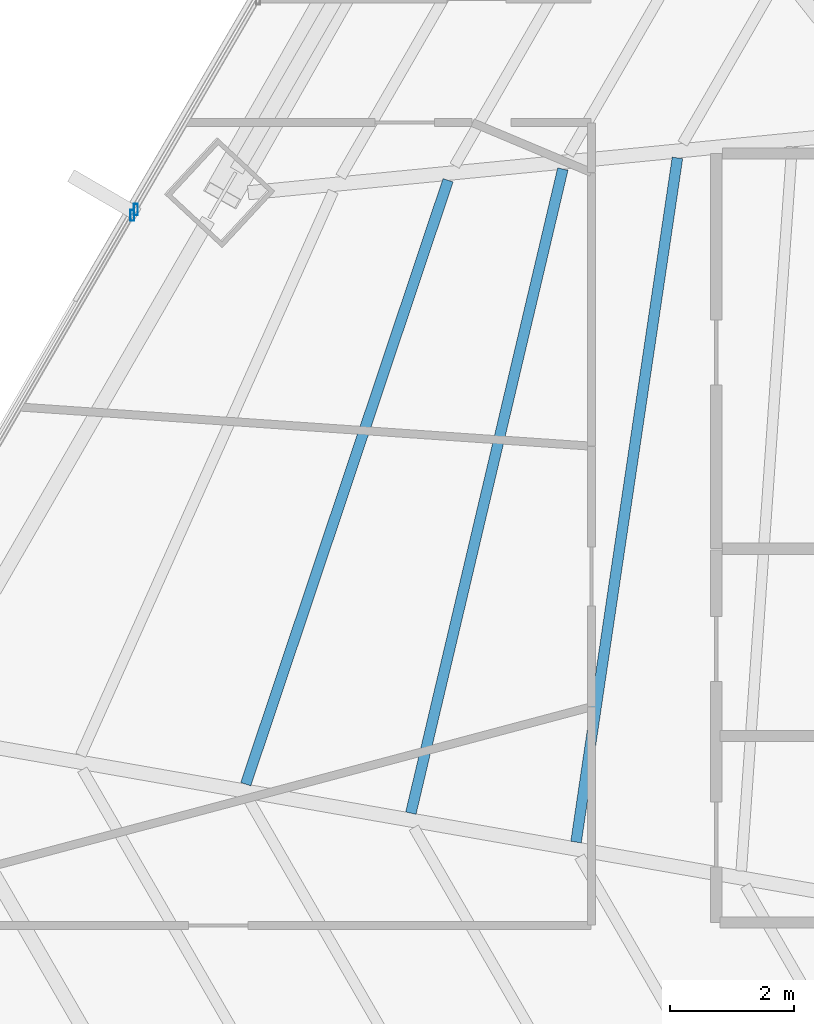
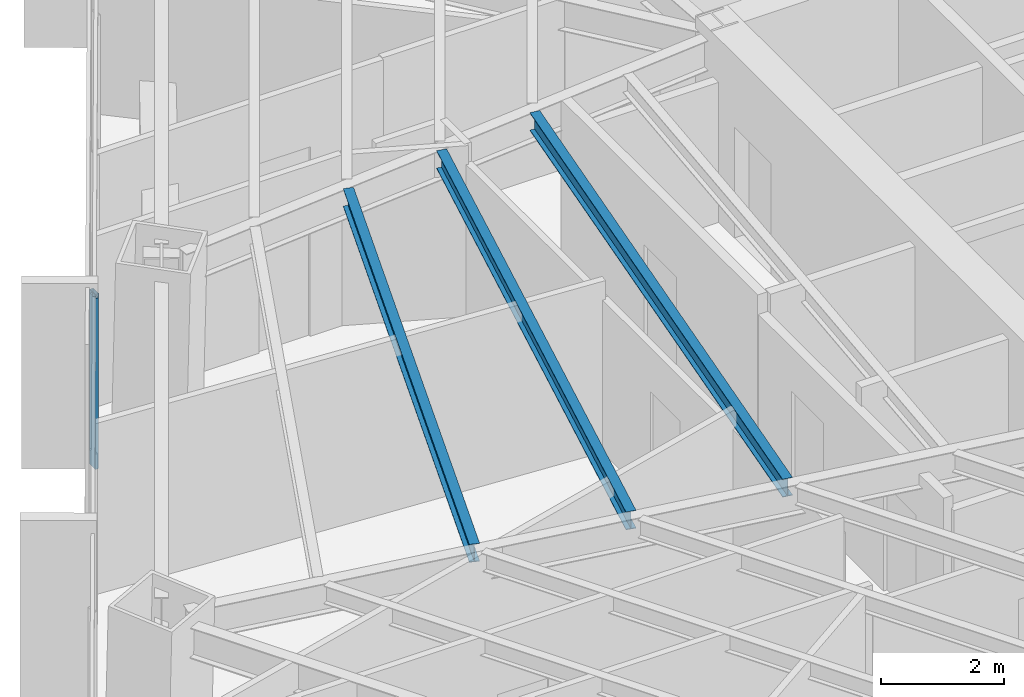
# One storey, part 11 of 34: 3 beams, 2 members, 2 elements without a shape of their own.
"""IFC4 building model written with IfcOpenShell, lengths in metres."""

from ifc_helpers import new_model, si_unit, direction, frame, origin, origin_2d, place, context, subcontext, project, spatial, hollow_rectangle, i_section, extrude, source, transform, mapped, material, material_profile, profile_set, type_object, type_shapes, element, aggregate, save


model = new_model("IFC4")

# Units and contexts
model_context = context("Model", 3, precision=1e-05, world=origin(), true_north=direction((0.0, 1.0)))
body_context = subcontext(model_context, "Body", "Model", "MODEL_VIEW")
ifc_project = project(units=[si_unit("LENGTHUNIT", "METRE"), si_unit("AREAUNIT", "SQUARE_METRE"), si_unit("VOLUMEUNIT", "CUBIC_METRE"), si_unit("PLANEANGLEUNIT", "RADIAN"), si_unit("MASSUNIT", "GRAM", prefix="KILO")], contexts=[model_context])

# Site, building, storey
site_placement = place(None, origin())
site = spatial("IfcSite", under=ifc_project, at=site_placement, CompositionType="ELEMENT")
building_placement = place(site_placement, origin())
building = spatial("IfcBuilding", under=site, at=building_placement, Name="Caelisora Broadcast Tower", CompositionType="ELEMENT")
storey_placement = place(building_placement, frame((0.0, 0.0, 56.800048828125)))
storey = spatial("IfcBuildingStorey", under=building, at=storey_placement, Name="L14", CompositionType="ELEMENT", Elevation=56.800048828125)

# Beams
ifc_material_1 = material(Name="Steel Grade 350 (AS/NZS 3679.1)", Category="steel")
ifc_material_profile_1 = material_profile(ifc_material_1, i_section(OverallWidth=0.172119140625, OverallDepth=0.358642578125, WebThickness=0.008056640625, FlangeThickness=0.012939453125, at=origin_2d()), Name="Steel Grade 350 (AS/NZS 3679.1)")
ifc_profile_set_1 = profile_set([ifc_material_profile_1], Name="Steel Grade 350 (AS/NZS 3679.1)")
beam_type = type_object("IfcBeamType", Name="SB02", PredefinedType="JOIST", material=ifc_profile_set_1)
shared_shape_1 = source(origin(), body_context, "Body", "SweptSolid", [
    extrude(i_section(OverallWidth=0.172119140625, OverallDepth=0.358642578125, WebThickness=0.008056640625, FlangeThickness=0.012939453125, at=origin_2d()), origin(), (0.0, 0.0, 1.0), 11.198974609375),
])
beam_1_placement = place(storey_placement, frame((26.791015625, 29.527587890625, 3.220703125), z_axis=(-0.146607917039, -0.989194681881, 0.0), x_axis=(0.989194681881, -0.146607917039, 0.0)))
element("IfcBeam", 1, at=beam_1_placement, inside=storey, type_object=beam_type, Name="L14 beam SB02", PredefinedType="JOIST", context=body_context, shape_type="MappedRepresentation", body=[
    mapped(shared_shape_1, transform((0.0, 0.0, 0.0), scale=1.0)),
])
shared_shape_2 = source(origin(), body_context, "Body", "SweptSolid", [
    extrude(i_section(OverallWidth=0.172119140625, OverallDepth=0.358642578125, WebThickness=0.008056640625, FlangeThickness=0.012939453125, at=origin_2d()), origin(), (0.0, 0.0, 1.0), 10.71533203125),
])
beam_2_placement = place(storey_placement, frame((24.934814453125, 29.34716796875, 3.220703125), z_axis=(-0.229594254708, -0.973286431738, 0.0), x_axis=(0.973286431738, -0.229594254708, 0.0)))
element("IfcBeam", 2, at=beam_2_placement, inside=storey, type_object=beam_type, Name="L14 beam SB02", PredefinedType="JOIST", context=body_context, shape_type="MappedRepresentation", body=[
    mapped(shared_shape_2, transform((0.0, 0.0, 0.0), scale=1.0)),
])
shared_shape_3 = source(origin(), body_context, "Body", "SweptSolid", [
    extrude(i_section(OverallWidth=0.172119140625, OverallDepth=0.358642578125, WebThickness=0.008056640625, FlangeThickness=0.012939453125, at=origin_2d()), origin(), (0.0, 0.0, 1.0), 10.31396484375),
])
type_shapes(beam_type, [shared_shape_1, shared_shape_2, shared_shape_3])
beam_3_placement = place(storey_placement, frame((23.076904296875, 29.166259765625, 3.220703125), z_axis=(-0.31759087645, -0.948227839285, 0.0), x_axis=(0.948227839285, -0.31759087645, 0.0)))
element("IfcBeam", 3, at=beam_3_placement, inside=storey, type_object=beam_type, Name="L14 beam SB02", PredefinedType="JOIST", context=body_context, shape_type="MappedRepresentation", body=[
    mapped(shared_shape_3, transform((0.0, 0.0, 0.0), scale=1.0)),
])

# Curtain wall, member
ifc_material_2 = material(Name="Unitised Aluminium and Low-E Glass Curtain Wall", Category="glass")
curtain_wall_type_1 = type_object("IfcCurtainWallType", Name="CW-Z1", PredefinedType="NOTDEFINED", material=ifc_material_2)
curtain_wall_1_placement = place(storey_placement, origin())
curtain_wall_1 = element("IfcCurtainWall", 4, at=curtain_wall_1_placement, inside=storey, type_object=curtain_wall_type_1, Name="L14 curtain wall CW-Z1", PredefinedType="NOTDEFINED")
ifc_material_3 = material(Name="Aluminium 6063-T6 Anodised Terracotta Bronze", Category="aluminium")
ifc_material_profile_2 = material_profile(ifc_material_3, hollow_rectangle(XDim=0.06494140625, YDim=0.179931640625, WallThickness=0.00341796875, at=origin_2d()), Name="Aluminium 6063-T6 Anodised Terracotta Bronze")
ifc_profile_set_2 = profile_set([ifc_material_profile_2], Name="Aluminium 6063-T6 Anodised Terracotta Bronze")
member_type = type_object("IfcMemberType", Name="CWM-02", PredefinedType="MULLION", material=ifc_profile_set_2)
shared_shape_4 = source(origin(), body_context, "Body", "SweptSolid", [
    extrude(hollow_rectangle(XDim=0.06494140625, YDim=0.179931640625, WallThickness=0.00341796875, at=origin_2d()), origin(), (0.0, 0.0, 1.0), 3.39990234375),
])
type_shapes(member_type, [shared_shape_4])
member_1_placement = place(storey_placement, frame((17.966552734375, 28.597412109375, 0.0), z_axis=(0.0, 0.0, 1.0), x_axis=(1.0, 0.0, 0.0)))
member_1 = element("IfcMember", 5, at=member_1_placement, type_object=member_type, Name="L14-CW-B09 mullion #3", PredefinedType="MULLION", context=body_context, shape_type="MappedRepresentation", body=[
    mapped(shared_shape_4, transform((0.0, 0.0, 0.0), scale=1.0)),
])
aggregate(curtain_wall_1, [member_1])

ifc_material_4 = material(Name="Unitised Aluminium Insulated Shadow-Box Spandrel Curtain Wall", Category="aluminium")
curtain_wall_type_2 = type_object("IfcCurtainWallType", Name="CW-SP1", PredefinedType="NOTDEFINED", material=ifc_material_4)
curtain_wall_2_placement = place(storey_placement, origin())
curtain_wall_2 = element("IfcCurtainWall", 6, at=curtain_wall_2_placement, inside=storey, type_object=curtain_wall_type_2, Name="L14 curtain wall CW-SP1", PredefinedType="NOTDEFINED")
member_2_placement = place(storey_placement, frame((18.02197265625, 28.692626953125, 0.0), z_axis=(0.0, 0.0, 1.0), x_axis=(1.0, 0.0, 0.0)))
member_2 = element("IfcMember", 7, at=member_2_placement, type_object=member_type, Name="L14-CW-B10 mullion #0", PredefinedType="MULLION", context=body_context, shape_type="MappedRepresentation", body=[
    mapped(shared_shape_4, transform((0.0, 0.0, 0.0), scale=1.0)),
])
aggregate(curtain_wall_2, [member_2])

save(model, "model.ifc")
